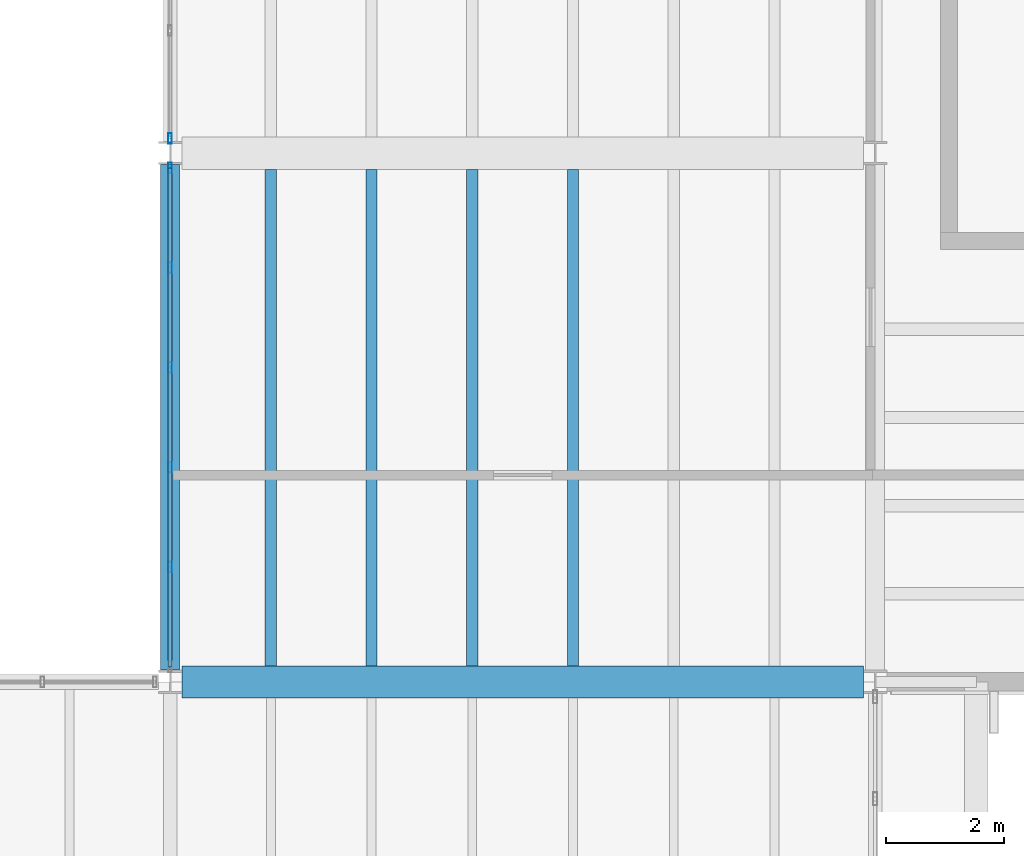
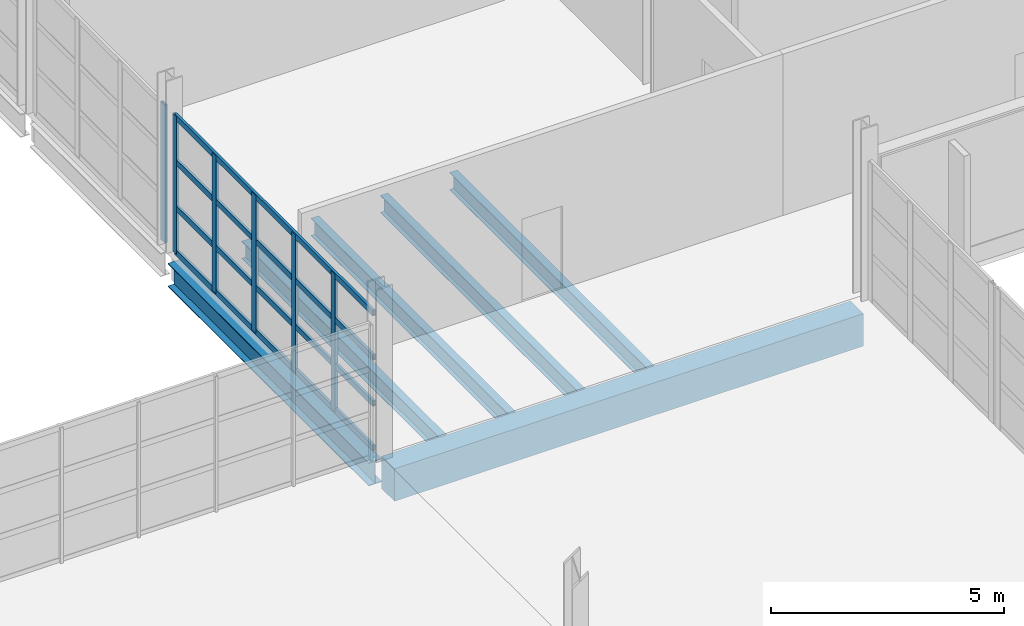
# One storey, part 65 of 114: 10 members, 6 beams, 2 elements without a shape of their own.
"""IFC4 building model written with IfcOpenShell, lengths in metres."""

from ifc_helpers import new_model, si_unit, direction, frame, origin, origin_2d, place, context, subcontext, project, spatial, rectangle, hollow_rectangle, i_section, extrude, material, material_profile, profile_set, type_object, element, aggregate, save


model = new_model("IFC4")

# Units and contexts
model_context = context("Model", 3, precision=1e-05, world=origin(), true_north=direction((0.0, 1.0)))
body_context = subcontext(model_context, "Body", "Model", "MODEL_VIEW")
ifc_project = project(units=[si_unit("LENGTHUNIT", "METRE"), si_unit("AREAUNIT", "SQUARE_METRE"), si_unit("VOLUMEUNIT", "CUBIC_METRE"), si_unit("PLANEANGLEUNIT", "RADIAN"), si_unit("MASSUNIT", "GRAM", prefix="KILO")], contexts=[model_context])

# Site, building, storey
site_placement = place(None, origin())
site = spatial("IfcSite", under=ifc_project, at=site_placement, CompositionType="ELEMENT")
building_placement = place(site_placement, origin())
building = spatial("IfcBuilding", under=site, at=building_placement, Name="Kelmvaro Bay Concert Hall", CompositionType="ELEMENT")
storey_placement = place(building_placement, frame((0.0, 0.0, 4.800048828125)))
storey = spatial("IfcBuildingStorey", under=building, at=storey_placement, Name="L01", CompositionType="ELEMENT", Elevation=4.800048828125)

# Beam
ifc_material_1 = material(Name="Concrete C40/50", Category="concrete")
ifc_material_profile_1 = material_profile(ifc_material_1, rectangle(XDim=0.550048828125, YDim=0.85009765625, at=origin_2d()), Name="RC-BM-550X850")
ifc_profile_set_1 = profile_set([ifc_material_profile_1], Name="Concrete C40/50")
beam_type_1 = type_object("IfcBeamType", Name="Chamber Primary Girder RC550x850", PredefinedType="BEAM", material=ifc_profile_set_1)
beam_1_placement = place(storey_placement, frame((120.200439453125, 73.800048828125, -0.68505859375), z_axis=(1.0, 0.0, 0.0), x_axis=(0.0, 1.0, 0.0)))
element("IfcBeam", 1, at=beam_1_placement, inside=storey, type_object=beam_type_1, Name="L01 Girder BM-L01-EW-0088", PredefinedType="BEAM", context=body_context, shape_type="SweptSolid", body=[
    extrude(rectangle(XDim=0.550048828125, YDim=0.85009765625, at=origin_2d()), origin(), (0.0, 0.0, 1.0), 11.59912109375),
])

# Curtain wall, members
ifc_material_2 = material(Name="Anodised Aluminium and Low-E Insulated Glazing", Category="aluminium")
curtain_wall_type = type_object("IfcCurtainWallType", Name="Chamber Foyer Curtain Wall 3900", PredefinedType="USERDEFINED", material=ifc_material_2)
curtain_wall_1_placement = place(storey_placement, origin())
curtain_wall_1 = element("IfcCurtainWall", 2, at=curtain_wall_1_placement, inside=storey, type_object=curtain_wall_type, Name="Unitised Curtain Wall CW-L01-035", ObjectType="UNITISED GLAZING", PredefinedType="USERDEFINED")
ifc_material_3 = material(Name="Anodised Extruded Aluminium 6063-T6", Category="aluminium")
ifc_material_profile_2 = material_profile(ifc_material_3, hollow_rectangle(XDim=0.06494140625, YDim=0.179931640625, WallThickness=0.00390625, at=origin_2d()), Name="ALU-MUL-180X65")
ifc_profile_set_2 = profile_set([ifc_material_profile_2], Name="Anodised Extruded Aluminium 6063-T6")
member_type_1 = type_object("IfcMemberType", Name="Curtain Mullion ALU 180x65", PredefinedType="MULLION", material=ifc_profile_set_2)
member_1_placement = place(storey_placement, frame((120.0, 75.753173828125, 0.0), z_axis=(0.0, 0.0, 1.0), x_axis=(1.0, 0.0, 0.0)))
member_1 = element("IfcMember", 3, at=member_1_placement, type_object=member_type_1, Name="CW-L01-035 Mullion 02", PredefinedType="MULLION", context=body_context, shape_type="SweptSolid", body=[
    extrude(hollow_rectangle(XDim=0.06494140625, YDim=0.179931640625, WallThickness=0.00390625, at=origin_2d()), origin(), (0.0, 0.0, 1.0), 3.60888671875),
])
member_2_placement = place(storey_placement, frame((120.0, 77.451904296875, 0.0), z_axis=(0.0, 0.0, 1.0), x_axis=(1.0, 0.0, 0.0)))
member_2 = element("IfcMember", 4, at=member_2_placement, type_object=member_type_1, Name="CW-L01-035 Mullion 03", PredefinedType="MULLION", context=body_context, shape_type="SweptSolid", body=[
    extrude(hollow_rectangle(XDim=0.06494140625, YDim=0.179931640625, WallThickness=0.00390625, at=origin_2d()), origin(), (0.0, 0.0, 1.0), 3.60888671875),
])
member_3_placement = place(storey_placement, frame((120.0, 79.150634765625, 0.0), z_axis=(0.0, 0.0, 1.0), x_axis=(1.0, 0.0, 0.0)))
member_3 = element("IfcMember", 5, at=member_3_placement, type_object=member_type_1, Name="CW-L01-035 Mullion 04", PredefinedType="MULLION", context=body_context, shape_type="SweptSolid", body=[
    extrude(hollow_rectangle(XDim=0.06494140625, YDim=0.179931640625, WallThickness=0.00390625, at=origin_2d()), origin(), (0.0, 0.0, 1.0), 3.60888671875),
])
member_4_placement = place(storey_placement, frame((120.0, 80.849365234375, 0.0), z_axis=(0.0, 0.0, 1.0), x_axis=(1.0, 0.0, 0.0)))
member_4 = element("IfcMember", 6, at=member_4_placement, type_object=member_type_1, Name="CW-L01-035 Mullion 05", PredefinedType="MULLION", context=body_context, shape_type="SweptSolid", body=[
    extrude(hollow_rectangle(XDim=0.06494140625, YDim=0.179931640625, WallThickness=0.00390625, at=origin_2d()), origin(), (0.0, 0.0, 1.0), 3.60888671875),
])
member_5_placement = place(storey_placement, frame((120.0, 82.548095703125, 0.0), z_axis=(0.0, 0.0, 1.0), x_axis=(1.0, 0.0, 0.0)))
member_5 = element("IfcMember", 7, at=member_5_placement, type_object=member_type_1, Name="CW-L01-035 Mullion 06", PredefinedType="MULLION", context=body_context, shape_type="SweptSolid", body=[
    extrude(hollow_rectangle(XDim=0.06494140625, YDim=0.179931640625, WallThickness=0.00390625, at=origin_2d()), origin(), (0.0, 0.0, 1.0), 3.60888671875),
])

# Curtain wall, member
curtain_wall_2_placement = place(storey_placement, origin())
curtain_wall_2 = element("IfcCurtainWall", 8, at=curtain_wall_2_placement, inside=storey, type_object=curtain_wall_type, Name="Unitised Curtain Wall CW-L01-036", ObjectType="UNITISED GLAZING", PredefinedType="USERDEFINED")
member_6_placement = place(storey_placement, frame((120.0, 83.052001953125, 0.0), z_axis=(0.0, 0.0, 1.0), x_axis=(1.0, 0.0, 0.0)))
member_6 = element("IfcMember", 9, at=member_6_placement, type_object=member_type_1, Name="CW-L01-036 Mullion 01", PredefinedType="MULLION", context=body_context, shape_type="SweptSolid", body=[
    extrude(hollow_rectangle(XDim=0.06494140625, YDim=0.179931640625, WallThickness=0.00390625, at=origin_2d()), origin(), (0.0, 0.0, 1.0), 3.60791015625),
])
aggregate(curtain_wall_2, [member_6])

# Member
ifc_material_4 = material(Name="Anodised Extruded Aluminium 6063-T6", Category="aluminium")
ifc_material_profile_3 = material_profile(ifc_material_4, hollow_rectangle(XDim=0.06494140625, YDim=0.14990234375, WallThickness=0.00390625, at=origin_2d()), Name="ALU-TRN-150X65")
ifc_profile_set_3 = profile_set([ifc_material_profile_3], Name="Anodised Extruded Aluminium 6063-T6")
member_type_2 = type_object("IfcMemberType", Name="Curtain Transom ALU 150x65", PredefinedType="USERDEFINED", material=ifc_profile_set_3)
member_7_placement = place(storey_placement, frame((120.0, 74.054443359375, 0.0400390625), z_axis=(0.0, 1.0, 0.0), x_axis=(-1.0, 0.0, 0.0)))
member_7 = element("IfcMember", 10, at=member_7_placement, type_object=member_type_2, Name="CW-L01-035 Transom 01", ObjectType="TRANSOM", PredefinedType="USERDEFINED", context=body_context, shape_type="SweptSolid", body=[
    extrude(hollow_rectangle(XDim=0.06494140625, YDim=0.14990234375, WallThickness=0.00390625, at=origin_2d()), origin(), (0.0, 0.0, 1.0), 8.49365234375),
])

member_8_placement = place(storey_placement, frame((120.0, 74.054443359375, 1.202880859375), z_axis=(0.0, 1.0, 0.0), x_axis=(-1.0, 0.0, 0.0)))
member_8 = element("IfcMember", 11, at=member_8_placement, type_object=member_type_2, Name="CW-L01-035 Transom 02", ObjectType="TRANSOM", PredefinedType="USERDEFINED", context=body_context, shape_type="SweptSolid", body=[
    extrude(hollow_rectangle(XDim=0.06494140625, YDim=0.14990234375, WallThickness=0.00390625, at=origin_2d()), origin(), (0.0, 0.0, 1.0), 8.49365234375),
])

member_9_placement = place(storey_placement, frame((120.0, 74.054443359375, 2.406005859375), z_axis=(0.0, 1.0, 0.0), x_axis=(-1.0, 0.0, 0.0)))
member_9 = element("IfcMember", 12, at=member_9_placement, type_object=member_type_2, Name="CW-L01-035 Transom 03", ObjectType="TRANSOM", PredefinedType="USERDEFINED", context=body_context, shape_type="SweptSolid", body=[
    extrude(hollow_rectangle(XDim=0.06494140625, YDim=0.14990234375, WallThickness=0.00390625, at=origin_2d()), origin(), (0.0, 0.0, 1.0), 8.49365234375),
])

member_10_placement = place(storey_placement, frame((120.0, 74.054443359375, 3.56884765625), z_axis=(0.0, 1.0, 0.0), x_axis=(-1.0, 0.0, 0.0)))
member_10 = element("IfcMember", 13, at=member_10_placement, type_object=member_type_2, Name="CW-L01-035 Transom 04", ObjectType="TRANSOM", PredefinedType="USERDEFINED", context=body_context, shape_type="SweptSolid", body=[
    extrude(hollow_rectangle(XDim=0.06494140625, YDim=0.14990234375, WallThickness=0.00390625, at=origin_2d()), origin(), (0.0, 0.0, 1.0), 8.49365234375),
])

aggregate(curtain_wall_1, [member_1, member_2, member_3, member_4, member_5, member_7, member_8, member_9, member_10])

# Beams
ifc_material_5 = material(Name="Steel ASTM A992 Grade 50", Category="steel")
ifc_material_profile_4 = material_profile(ifc_material_5, i_section(OverallWidth=0.323974609375, OverallDepth=0.611083984375, WebThickness=0.0126953125, FlangeThickness=0.01904296875, at=origin_2d()), Name="W24X104")
ifc_profile_set_4 = profile_set([ifc_material_profile_4], Name="Steel ASTM A992 Grade 50")
beam_type_2 = type_object("IfcBeamType", Name="Foyer Frame Girder W24x104", PredefinedType="BEAM", material=ifc_profile_set_4)
beam_2_placement = place(storey_placement, frame((120.0, 73.99951171875, -0.5654296875), z_axis=(0.0, 1.0, 0.0), x_axis=(-1.0, 0.0, 0.0)))
element("IfcBeam", 14, at=beam_2_placement, inside=storey, type_object=beam_type_2, Name="L01 Girder BM-L01-NS-0190", PredefinedType="BEAM", context=body_context, shape_type="SweptSolid", body=[
    extrude(i_section(OverallWidth=0.323974609375, OverallDepth=0.611083984375, WebThickness=0.0126953125, FlangeThickness=0.01904296875, at=origin_2d()), origin(), (0.0, 0.0, 1.0), 8.603515625),
])
ifc_material_6 = material(Name="Steel ASTM A992 Grade 50", Category="steel")
ifc_material_profile_5 = material_profile(ifc_material_6, i_section(OverallWidth=0.19091796875, OverallDepth=0.45703125, WebThickness=0.009033203125, FlangeThickness=0.014404296875, at=origin_2d()), Name="W18X50")
ifc_profile_set_5 = profile_set([ifc_material_profile_5], Name="Steel ASTM A992 Grade 50")
beam_type_3 = type_object("IfcBeamType", Name="Standard Composite Floor Joist W18x50", PredefinedType="JOIST", material=ifc_profile_set_5)
for number, where, z_axis, x_axis, name in (
    (15, (121.71435546875, 74.074951171875, -0.488525390625), (0.0, 1.0, 0.0), (-1.0, 0.0, 0.0), "L01 Floor Joist JST-L01-0590"),
    (16, (123.4287109375, 74.074951171875, -0.488525390625), (0.0, 1.0, 0.0), (-1.0, 0.0, 0.0), "L01 Floor Joist JST-L01-0591"),
    (17, (125.142822265625, 74.074951171875, -0.488525390625), (0.0, 1.0, 0.0), (-1.0, 0.0, 0.0), "L01 Floor Joist JST-L01-0592"),
    (18, (126.857177734375, 74.074951171875, -0.488525390625), (0.0, 1.0, 0.0), (-1.0, 0.0, 0.0), "L01 Floor Joist JST-L01-0593"),
):
    element("IfcBeam", number, at=place(storey_placement, frame(where, z_axis=z_axis, x_axis=x_axis)), inside=storey, type_object=beam_type_3, Name=name, PredefinedType="JOIST", context=body_context, shape_type="SweptSolid", body=[
        extrude(i_section(OverallWidth=0.19091796875, OverallDepth=0.45703125, WebThickness=0.009033203125, FlangeThickness=0.014404296875, at=origin_2d()), origin(), (0.0, 0.0, 1.0), 8.449951171875),
    ])

save(model, "model.ifc")
